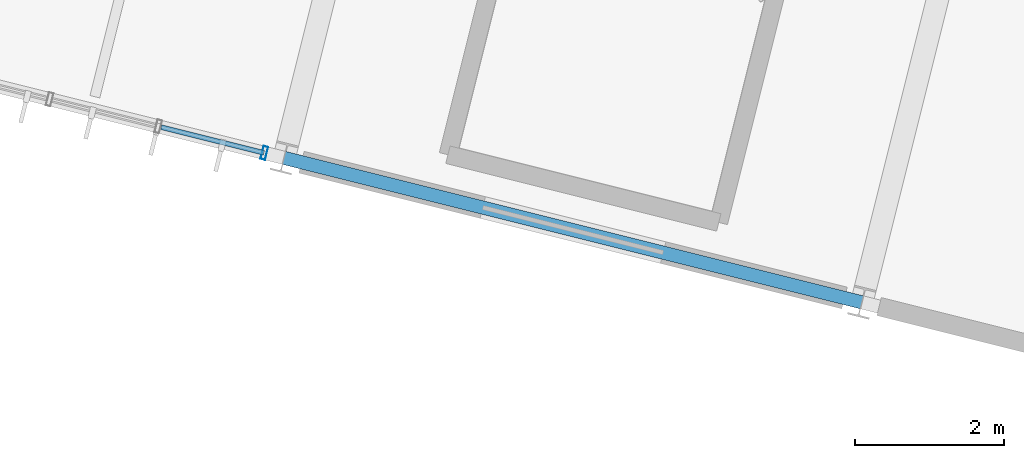
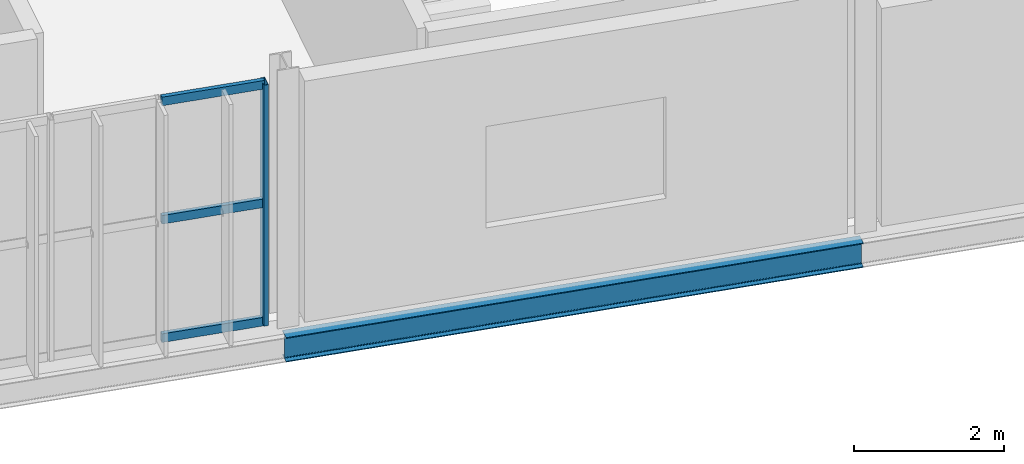
# One storey, part 26 of 61: 4 members, 1 beam, 1 element without a shape of its own.
"""IFC4 building model written with IfcOpenShell, lengths in metres."""

from ifc_helpers import new_model, si_unit, derived_unit, direction, frame, origin, origin_2d, place, context, subcontext, project, spatial, hollow_rectangle, i_section, extrude, material, material_profile, profile_set, type_object, element, aggregate, save


model = new_model("IFC4")

# Units and contexts
model_context = context("Model", 3, precision=1e-05, world=origin(), true_north=direction((0.0, 1.0)))
body_context = subcontext(model_context, "Body", "Model", "MODEL_VIEW")
ifc_project = project(units=[si_unit("LENGTHUNIT", "METRE"), si_unit("AREAUNIT", "SQUARE_METRE"), si_unit("VOLUMEUNIT", "CUBIC_METRE"), si_unit("PLANEANGLEUNIT", "RADIAN"), si_unit("MASSUNIT", "GRAM", prefix="KILO"), si_unit("THERMODYNAMICTEMPERATUREUNIT", "KELVIN"), si_unit("TIMEUNIT", "SECOND"), derived_unit("THERMALTRANSMITTANCEUNIT", [(si_unit("MASSUNIT", "GRAM", prefix="KILO"), 1), (si_unit("THERMODYNAMICTEMPERATUREUNIT", "KELVIN"), -1), (si_unit("TIMEUNIT", "SECOND"), -3)])], contexts=[model_context])

# Site, building, storey
site_placement = place(None, origin())
site = spatial("IfcSite", under=ifc_project, at=site_placement, CompositionType="ELEMENT")
building_placement = place(site_placement, origin())
building = spatial("IfcBuilding", under=site, at=building_placement, Name="Cambertide Market Hall", CompositionType="ELEMENT")
storey_placement = place(building_placement, frame((0.0, 0.0, 9.89990234375)))
storey = spatial("IfcBuildingStorey", under=building, at=storey_placement, Name="L03", CompositionType="ELEMENT", Elevation=9.89990234375)

# Curtain wall, members
ifc_material_1 = material(Name="Marine Anodized Aluminium 6063-T6 AA25", Category="aluminium")
curtain_wall_type = type_object("IfcCurtainWallType", Name="Cooking School Classroom Curtain Wall", PredefinedType="USERDEFINED", material=ifc_material_1)
curtain_wall_placement = place(storey_placement, origin())
curtain_wall = element("IfcCurtainWall", 1, at=curtain_wall_placement, inside=storey, type_object=curtain_wall_type, Name="Level 3 Curtain Wall CW-V4S-L03-6", ObjectType="UNITIZED CURTAIN WALL", PredefinedType="USERDEFINED")
ifc_material_2 = material(Name="Champagne Marine Anodized Aluminium 6063-T6 AA25", Category="aluminium")
ifc_material_profile_1 = material_profile(ifc_material_2, hollow_rectangle(XDim=0.06494140625, YDim=0.179931640625, WallThickness=0.00390625, at=origin_2d()), Name="ALU MULLION 65x180")
ifc_profile_set_1 = profile_set([ifc_material_profile_1], Name="Champagne Marine Anodized Aluminium 6063-T6 AA25")
member_type_1 = type_object("IfcMemberType", Name="Curtain Wall Mullion ALU MULLION 65x180", PredefinedType="MULLION", material=ifc_profile_set_1)
member_1_placement = place(storey_placement, frame((154.300048828125, 88.425048828125, 0.0), z_axis=(0.0, 0.0, 1.0), x_axis=(-0.970142531436, 0.242535499875, 0.0)))
member_1 = element("IfcMember", 2, at=member_1_placement, type_object=member_type_1, Name="CW-V4S-L03-6 Mullion 1", PredefinedType="MULLION", context=body_context, shape_type="SweptSolid", body=[
    extrude(hollow_rectangle(XDim=0.06494140625, YDim=0.179931640625, WallThickness=0.00390625, at=origin_2d()), origin(), (0.0, 0.0, 1.0), 3.920166015625),
])
ifc_material_3 = material(Name="Champagne Marine Anodized Aluminium 6063-T6 AA25", Category="aluminium")
ifc_material_profile_2 = material_profile(ifc_material_3, hollow_rectangle(XDim=0.06494140625, YDim=0.139892578125, WallThickness=0.00341796875, at=origin_2d()), Name="ALU TRANSOM 65x140")
ifc_profile_set_2 = profile_set([ifc_material_profile_2], Name="Champagne Marine Anodized Aluminium 6063-T6 AA25")
member_type_2 = type_object("IfcMemberType", Name="Curtain Wall Transom ALU TRANSOM 65x140", PredefinedType="USERDEFINED", material=ifc_profile_set_2)
member_2_placement = place(storey_placement, frame((154.295166015625, 88.42626953125, 0.03515625), z_axis=(-0.970162669427, 0.242454933646, 0.0), x_axis=(-0.242454933646, -0.970162669427, 0.0)))
member_2 = element("IfcMember", 3, at=member_2_placement, type_object=member_type_2, Name="CW-V4S-L03-6 Transom 1-1", ObjectType="TRANSOM", PredefinedType="USERDEFINED", context=body_context, shape_type="SweptSolid", body=[
    extrude(hollow_rectangle(XDim=0.06494140625, YDim=0.139892578125, WallThickness=0.00341796875, at=origin_2d()), origin(), (0.0, 0.0, 1.0), 1.423828125),
])
member_3_placement = place(storey_placement, frame((154.295166015625, 88.42626953125, 1.960205078125), z_axis=(-0.970162669427, 0.242454933646, 0.0), x_axis=(-0.242454933646, -0.970162669427, 0.0)))
member_3 = element("IfcMember", 4, at=member_3_placement, type_object=member_type_2, Name="CW-V4S-L03-6 Transom 2-1", ObjectType="TRANSOM", PredefinedType="USERDEFINED", context=body_context, shape_type="SweptSolid", body=[
    extrude(hollow_rectangle(XDim=0.06494140625, YDim=0.139892578125, WallThickness=0.00341796875, at=origin_2d()), origin(), (0.0, 0.0, 1.0), 1.423828125),
])
member_4_placement = place(storey_placement, frame((154.295166015625, 88.42626953125, 3.885009765625), z_axis=(-0.970162669427, 0.242454933646, 0.0), x_axis=(-0.242454933646, -0.970162669427, 0.0)))
member_4 = element("IfcMember", 5, at=member_4_placement, type_object=member_type_2, Name="CW-V4S-L03-6 Transom 3-1", ObjectType="TRANSOM", PredefinedType="USERDEFINED", context=body_context, shape_type="SweptSolid", body=[
    extrude(hollow_rectangle(XDim=0.06494140625, YDim=0.139892578125, WallThickness=0.00341796875, at=origin_2d()), origin(), (0.0, 0.0, 1.0), 1.423828125),
])
aggregate(curtain_wall, [member_1, member_2, member_3, member_4])

# Beam
ifc_material_4 = material(Name="Steel S355", Category="steel")
ifc_material_profile_3 = material_profile(ifc_material_4, i_section(OverallWidth=0.179931640625, OverallDepth=0.39990234375, WebThickness=0.008544921875, FlangeThickness=0.013427734375, FilletRadius=0.02099609375, at=origin_2d()), Name="IPE 400")
ifc_profile_set_3 = profile_set([ifc_material_profile_3], Name="Steel S355")
beam_type = type_object("IfcBeamType", Name="Perimeter Spandrel Beam IPE 400", PredefinedType="SPANDREL", material=ifc_profile_set_3)
beam_placement = place(storey_placement, frame((154.56689453125, 88.3583984375, -0.44482421875), z_axis=(0.970137114374, -0.242557167103, 0.0), x_axis=(0.242557167103, 0.970137114374, 0.0)))
element("IfcBeam", 6, at=beam_placement, inside=storey, type_object=beam_type, Name="Level 3 Spandrel BM-V4U-L03-7-1", PredefinedType="SPANDREL", context=body_context, shape_type="SweptSolid", body=[
    extrude(i_section(OverallWidth=0.179931640625, OverallDepth=0.39990234375, WebThickness=0.008544921875, FlangeThickness=0.013427734375, FilletRadius=0.02099609375, at=origin_2d()), origin(), (0.0, 0.0, 1.0), 8.0),
])

save(model, "model.ifc")
